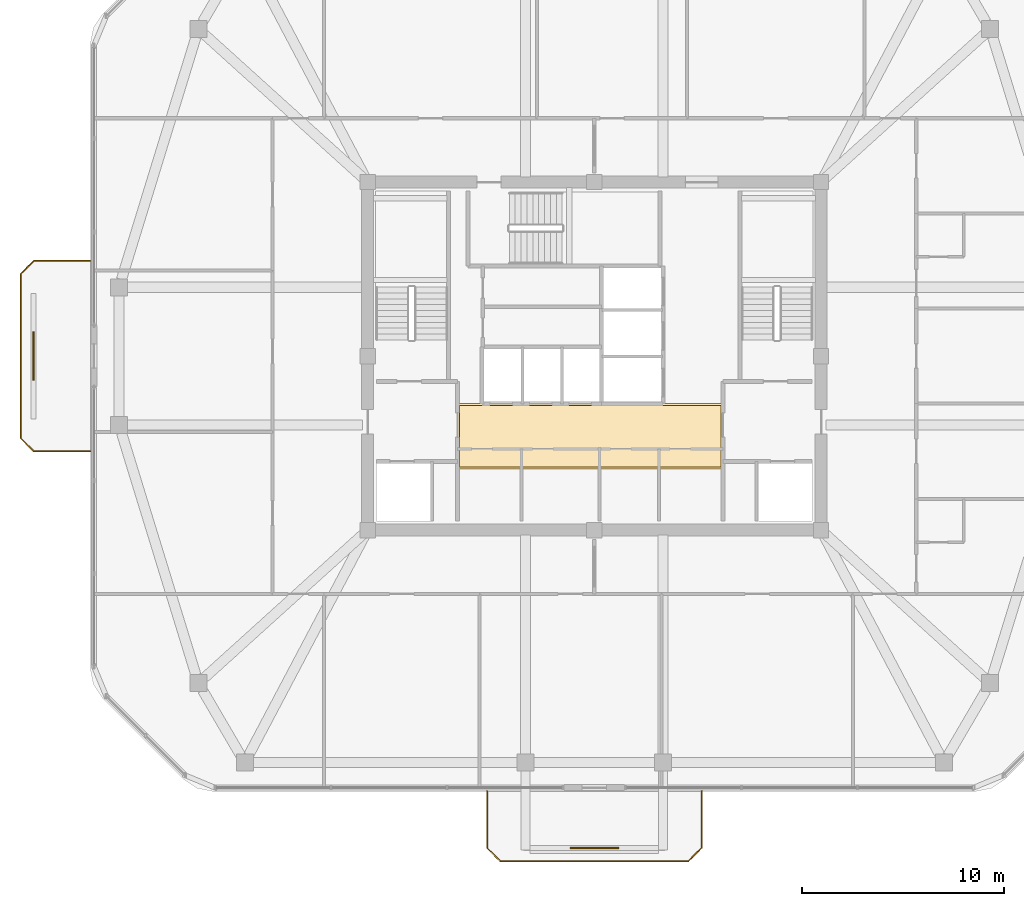
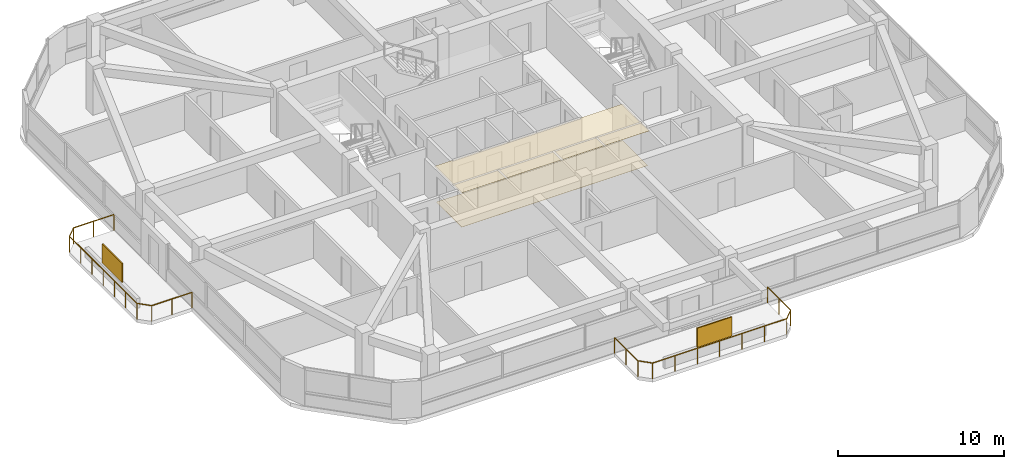
# One storey, part 12 of 13: 2 coverings, 2 railings, 2 shading devices.
"""IFC4 building model written with IfcOpenShell, lengths in metres."""

from ifc_helpers import new_model, si_unit, derived_unit, direction, frame, origin, origin_2d, place, context, subcontext, project, spatial, polyline, rectangle, outline, extrude, material, layer, layer_set, type_object, element, save


model = new_model("IFC4")

# Units and contexts
model_context = context("Model", 3, precision=1e-05, world=origin(), true_north=direction((0.0, 1.0)))
body_context = subcontext(model_context, "Body", "Model", "MODEL_VIEW")
ifc_project = project(units=[si_unit("LENGTHUNIT", "METRE"), si_unit("AREAUNIT", "SQUARE_METRE"), si_unit("VOLUMEUNIT", "CUBIC_METRE"), si_unit("PLANEANGLEUNIT", "RADIAN"), si_unit("MASSUNIT", "GRAM", prefix="KILO"), derived_unit("THERMALTRANSMITTANCEUNIT", [(si_unit("POWERUNIT", "WATT"), 1), (si_unit("LENGTHUNIT", "METRE"), -2), (si_unit("THERMODYNAMICTEMPERATUREUNIT", "KELVIN"), -1)])], contexts=[model_context])

# Site, building, storey
site_placement = place(None, origin())
site = spatial("IfcSite", under=ifc_project, at=site_placement, CompositionType="ELEMENT")
building_placement = place(site_placement, origin())
building = spatial("IfcBuilding", under=site, at=building_placement, Name="Koralith Skygarden Medical Center", CompositionType="ELEMENT")
storey_placement = place(building_placement, frame((0.0, 0.0, 264.419921875)))
storey = spatial("IfcBuildingStorey", under=building, at=storey_placement, Name="L68", CompositionType="ELEMENT", Elevation=264.419921875)

# Covering
ifc_material_1 = material(Name="Acoustic Mineral Tile")
ifc_layer_1 = layer(ifc_material_1, 0.02001953125)
ifc_layer_set_1 = layer_set([ifc_layer_1], Name="Acoustic Mineral Tile")
covering_type_1 = type_object("IfcCoveringType", Name="Acoustic Hygienic Mineral Ceiling 20", PredefinedType="CEILING", material=ifc_layer_set_1)
covering_1_placement = place(storey_placement, frame((0.0, 0.0, 2.5849609375)))
element("IfcCovering", 1, at=covering_1_placement, inside=storey, type_object=covering_type_1, Name="L68 Core Lobby Acoustic Ceiling", PredefinedType="CEILING", context=body_context, shape_type="SweptSolid", body=[
    extrude(outline(polyline([(30.25, 20.320068359375), (43.35009765625, 20.320068359375), (43.35009765625, 23.56005859375), (30.25, 23.56005859375), (30.25, 20.320068359375)])), origin(), (0.0, 0.0, 1.0), 0.02001953125),
])

# Railings
ifc_material_2 = material(Name="Steel ASTM A500 Grade C", Category="steel")
railing_type = type_object("IfcRailingType", Name="Outdoor Terrace & Balcony Safety Guardrail 1180", PredefinedType="GUARDRAIL", material=ifc_material_2)
railing_1_placement = place(storey_placement, frame((31.699951171875, 4.39990234375, 0.0)))
element("IfcRailing", 2, at=railing_1_placement, inside=storey, type_object=railing_type, Name="L68 S Balcony Perimeter Guardrail", PredefinedType="GUARDRAIL", context=body_context, shape_type="SweptSolid", body=[
    extrude(rectangle(XDim=0.050048828125, YDim=0.050048828125, at=origin_2d()), frame((0.0, -0.001953125, 1.15478515625), z_axis=(0.0, -1.0, 0.0), x_axis=(1.0, 0.0, 0.0)), (0.0, 0.0, 1.0), 2.7958984375),
    extrude(rectangle(XDim=0.050048828125, YDim=0.050048828125, at=origin_2d()), frame((0.00146484375, -2.80126953125, 1.15478515625), z_axis=(0.707106781187, -0.707106781187, 0.0), x_axis=(0.707106781187, 0.707106781187, 0.0)), (0.0, 0.0, 1.0), 0.91552734375),
    extrude(rectangle(XDim=0.050048828125, YDim=0.050048828125, at=origin_2d()), frame((0.652099609375, -3.449951171875, 1.15478515625), z_axis=(1.0, 0.0, 0.0), x_axis=(0.0, 1.0, 0.0)), (0.0, 0.0, 1.0), 9.2958984375),
    extrude(rectangle(XDim=0.050048828125, YDim=0.050048828125, at=origin_2d()), frame((9.951416015625, -3.448486328125, 1.15478515625), z_axis=(0.707106781187, 0.707106781187, 0.0), x_axis=(-0.707106781187, 0.707106781187, 0.0)), (0.0, 0.0, 1.0), 0.91552734375),
    extrude(rectangle(XDim=0.050048828125, YDim=0.050048828125, at=origin_2d()), frame((10.60009765625, -2.7978515625, 1.15478515625), z_axis=(0.0, 1.0, 0.0), x_axis=(-1.0, 0.0, 0.0)), (0.0, 0.0, 1.0), 2.7958984375),
    extrude(rectangle(XDim=0.0419921875, YDim=0.0419921875, at=origin_2d()), origin(), (0.0, 0.0, 1.0), 1.1279296875),
    extrude(rectangle(XDim=0.0419921875, YDim=0.0419921875, at=origin_2d()), frame((0.0, -1.39990234375, 0.0)), (0.0, 0.0, 1.0), 1.1279296875),
    extrude(rectangle(XDim=0.0419921875, YDim=0.0419921875, at=origin_2d()), frame((0.0, -2.7998046875, 0.0)), (0.0, 0.0, 1.0), 1.1279296875),
    extrude(rectangle(XDim=0.0419921875, YDim=0.0419921875, at=origin_2d()), frame((0.650146484375, -3.449951171875, 0.0)), (0.0, 0.0, 1.0), 1.1279296875),
    extrude(rectangle(XDim=0.0419921875, YDim=0.0419921875, at=origin_2d()), frame((2.2001953125, -3.449951171875, 0.0)), (0.0, 0.0, 1.0), 1.1279296875),
    extrude(rectangle(XDim=0.0419921875, YDim=0.0419921875, at=origin_2d()), frame((3.75, -3.449951171875, 0.0)), (0.0, 0.0, 1.0), 1.1279296875),
    extrude(rectangle(XDim=0.0419921875, YDim=0.0419921875, at=origin_2d()), frame((5.300048828125, -3.449951171875, 0.0)), (0.0, 0.0, 1.0), 1.1279296875),
    extrude(rectangle(XDim=0.0419921875, YDim=0.0419921875, at=origin_2d()), frame((6.85009765625, -3.449951171875, 0.0)), (0.0, 0.0, 1.0), 1.1279296875),
    extrude(rectangle(XDim=0.0419921875, YDim=0.0419921875, at=origin_2d()), frame((8.39990234375, -3.449951171875, 0.0)), (0.0, 0.0, 1.0), 1.1279296875),
    extrude(rectangle(XDim=0.0419921875, YDim=0.0419921875, at=origin_2d()), frame((9.949951171875, -3.449951171875, 0.0)), (0.0, 0.0, 1.0), 1.1279296875),
    extrude(rectangle(XDim=0.0419921875, YDim=0.0419921875, at=origin_2d()), frame((10.60009765625, -2.7998046875, 0.0)), (0.0, 0.0, 1.0), 1.1279296875),
    extrude(rectangle(XDim=0.0419921875, YDim=0.0419921875, at=origin_2d()), frame((10.60009765625, -1.39990234375, 0.0)), (0.0, 0.0, 1.0), 1.1279296875),
    extrude(rectangle(XDim=0.0419921875, YDim=0.0419921875, at=origin_2d()), frame((10.60009765625, 0.0, 0.0)), (0.0, 0.0, 1.0), 1.1279296875),
])
railing_2_placement = place(storey_placement, frame((12.10009765625, 21.199951171875, 0.0)))
element("IfcRailing", 3, at=railing_2_placement, inside=storey, type_object=railing_type, Name="L68 W Balcony Perimeter Guardrail", PredefinedType="GUARDRAIL", context=body_context, shape_type="SweptSolid", body=[
    extrude(rectangle(XDim=0.050048828125, YDim=0.050048828125, at=origin_2d()), frame((-0.001953125, 0.0, 1.15478515625), z_axis=(-1.0, 0.0, 0.0), x_axis=(0.0, -1.0, 0.0)), (0.0, 0.0, 1.0), 2.796142578125),
    extrude(rectangle(XDim=0.050048828125, YDim=0.050048828125, at=origin_2d()), frame((-2.801513671875, 0.00146484375, 1.15478515625), z_axis=(-0.707106781187, 0.707106781187, 0.0), x_axis=(-0.707106781187, -0.707106781187, 0.0)), (0.0, 0.0, 1.0), 0.91552734375),
    extrude(rectangle(XDim=0.050048828125, YDim=0.050048828125, at=origin_2d()), frame((-3.4501953125, 0.652099609375, 1.15478515625), z_axis=(0.0, 1.0, 0.0), x_axis=(-1.0, 0.0, 0.0)), (0.0, 0.0, 1.0), 8.095947265625),
    extrude(rectangle(XDim=0.050048828125, YDim=0.050048828125, at=origin_2d()), frame((-3.44873046875, 8.75146484375, 1.15478515625), z_axis=(0.707106781187, 0.707106781187, 0.0), x_axis=(-0.707106781187, 0.707106781187, 0.0)), (0.0, 0.0, 1.0), 0.91552734375),
    extrude(rectangle(XDim=0.050048828125, YDim=0.050048828125, at=origin_2d()), frame((-2.798095703125, 9.400146484375, 1.15478515625), z_axis=(1.0, 0.0, 0.0), x_axis=(0.0, 1.0, 0.0)), (0.0, 0.0, 1.0), 2.796142578125),
    extrude(rectangle(XDim=0.0419921875, YDim=0.0419921875, at=origin_2d()), origin(), (0.0, 0.0, 1.0), 1.1279296875),
    extrude(rectangle(XDim=0.0419921875, YDim=0.0419921875, at=origin_2d()), frame((-1.39990234375, 0.0, 0.0)), (0.0, 0.0, 1.0), 1.1279296875),
    extrude(rectangle(XDim=0.0419921875, YDim=0.0419921875, at=origin_2d()), frame((-2.800048828125, 0.0, 0.0)), (0.0, 0.0, 1.0), 1.1279296875),
    extrude(rectangle(XDim=0.0419921875, YDim=0.0419921875, at=origin_2d()), frame((-3.4501953125, 0.650146484375, 0.0)), (0.0, 0.0, 1.0), 1.1279296875),
    extrude(rectangle(XDim=0.0419921875, YDim=0.0419921875, at=origin_2d()), frame((-3.4501953125, 2.0, 0.0)), (0.0, 0.0, 1.0), 1.1279296875),
    extrude(rectangle(XDim=0.0419921875, YDim=0.0419921875, at=origin_2d()), frame((-3.4501953125, 3.35009765625, 0.0)), (0.0, 0.0, 1.0), 1.1279296875),
    extrude(rectangle(XDim=0.0419921875, YDim=0.0419921875, at=origin_2d()), frame((-3.4501953125, 4.7001953125, 0.0)), (0.0, 0.0, 1.0), 1.1279296875),
    extrude(rectangle(XDim=0.0419921875, YDim=0.0419921875, at=origin_2d()), frame((-3.4501953125, 6.050048828125, 0.0)), (0.0, 0.0, 1.0), 1.1279296875),
    extrude(rectangle(XDim=0.0419921875, YDim=0.0419921875, at=origin_2d()), frame((-3.4501953125, 7.39990234375, 0.0)), (0.0, 0.0, 1.0), 1.1279296875),
    extrude(rectangle(XDim=0.0419921875, YDim=0.0419921875, at=origin_2d()), frame((-3.4501953125, 8.75, 0.0)), (0.0, 0.0, 1.0), 1.1279296875),
    extrude(rectangle(XDim=0.0419921875, YDim=0.0419921875, at=origin_2d()), frame((-2.800048828125, 9.400146484375, 0.0)), (0.0, 0.0, 1.0), 1.1279296875),
    extrude(rectangle(XDim=0.0419921875, YDim=0.0419921875, at=origin_2d()), frame((-1.39990234375, 9.400146484375, 0.0)), (0.0, 0.0, 1.0), 1.1279296875),
    extrude(rectangle(XDim=0.0419921875, YDim=0.0419921875, at=origin_2d()), frame((0.0, 9.400146484375, 0.0)), (0.0, 0.0, 1.0), 1.1279296875),
])

# Shading devices
ifc_material_3 = material(Name="Aluminium 6063-T6", Category="aluminium")
ifc_layer_2 = layer(ifc_material_3, 0.080078125)
ifc_layer_set_2 = layer_set([ifc_layer_2], Name="Aluminium 6063-T6")
shading_device_type = type_object("IfcShadingDeviceType", Name="Perforated Biophilic Balcony Trellis Screen", PredefinedType="USERDEFINED", material=ifc_layer_set_2)
for number, where, z_axis, x_axis, name in (
    (4, (37.0, 1.60009765625, 0.72021484375), (0.0, 0.0, 1.0), (1.0, 0.0, 0.0), "L68 S Biophilic Balcony Trellis Screen"),
    (5, (9.300048828125, 25.89990234375, 0.72021484375), (0.0, 0.0, 1.0), (0.0, 1.0, 0.0), "L68 W Biophilic Balcony Trellis Screen"),
):
    element("IfcShadingDevice", number, at=place(storey_placement, frame(where, z_axis=z_axis, x_axis=x_axis)), inside=storey, type_object=shading_device_type, Name=name, ObjectType="HURRICANE SCREEN", PredefinedType="USERDEFINED", context=body_context, shape_type="SweptSolid", body=[
        extrude(rectangle(XDim=2.39990234375, YDim=0.080078125, at=origin_2d()), origin(), (0.0, 0.0, 1.0), 1.39990234375),
    ])

# Covering
ifc_material_4 = material(Name="Medical Terrazzo Flooring")
ifc_layer_3 = layer(ifc_material_4, 0.014892578125)
ifc_layer_set_3 = layer_set([ifc_layer_3], Name="Medical Terrazzo Flooring")
covering_type_2 = type_object("IfcCoveringType", Name="Seamless Antimicrobial Terrazzo Flooring 15", PredefinedType="FLOORING", material=ifc_layer_set_3)
covering_2_placement = place(storey_placement, origin())
element("IfcCovering", 6, at=covering_2_placement, inside=storey, type_object=covering_type_2, Name="L68 Core Lobby Terrazzo Flooring", PredefinedType="FLOORING", context=body_context, shape_type="SweptSolid", body=[
    extrude(outline(polyline([(30.35009765625, 20.419921875), (43.25, 20.419921875), (43.25, 23.4599609375), (30.35009765625, 23.4599609375), (30.35009765625, 20.419921875)])), origin(), (0.0, 0.0, 1.0), 0.01513671875),
])

save(model, "model.ifc")
